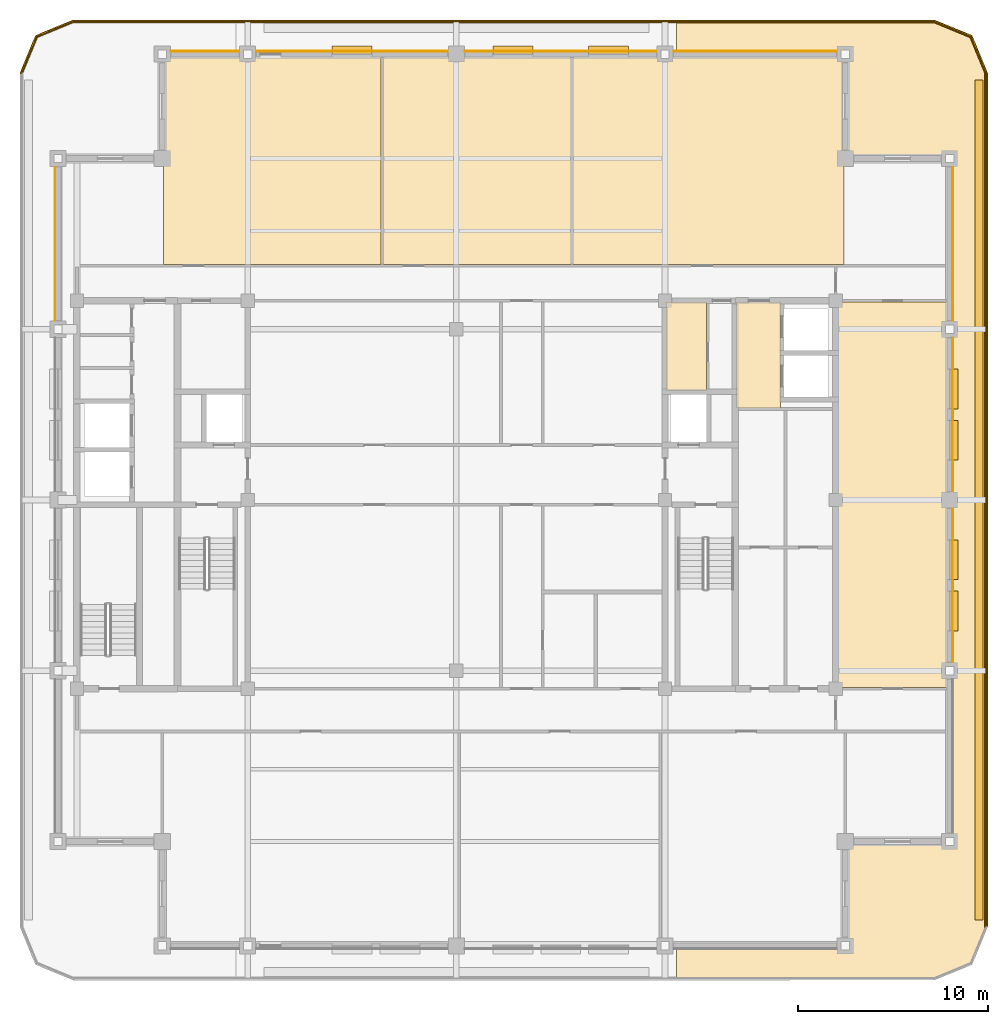
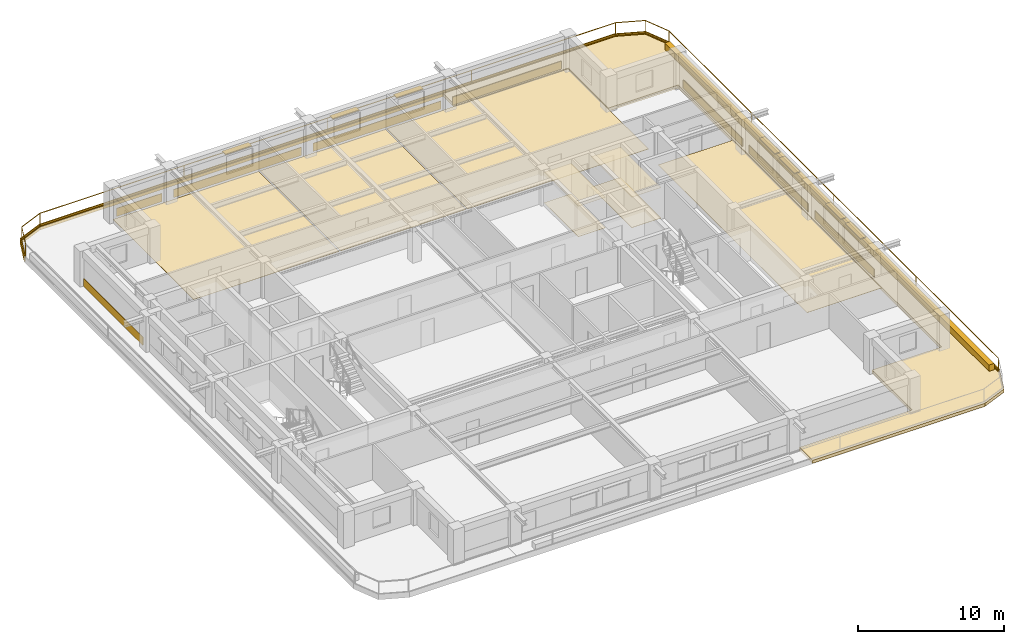
# One storey, part 11 of 11: 24 coverings, 7 shading devices, 2 railings.
"""IFC4 building model written with IfcOpenShell, lengths in metres."""

from ifc_helpers import new_model, si_unit, direction, frame, frame_2d, origin, origin_2d, place, context, subcontext, project, spatial, polyline, rectangle, outline, extrude, material, layer, layer_set, type_object, element, save


model = new_model("IFC4")

# Units and contexts
model_context = context("Model", 3, precision=1e-05, world=origin(), true_north=direction((0.0, 1.0)))
body_context = subcontext(model_context, "Body", "Model", "MODEL_VIEW")
ifc_project = project(units=[si_unit("LENGTHUNIT", "METRE"), si_unit("AREAUNIT", "SQUARE_METRE"), si_unit("VOLUMEUNIT", "CUBIC_METRE"), si_unit("PLANEANGLEUNIT", "RADIAN"), si_unit("MASSUNIT", "GRAM", prefix="KILO")], contexts=[model_context])

# Site, building, storey
site_placement = place(None, origin())
site = spatial("IfcSite", under=ifc_project, at=site_placement, CompositionType="ELEMENT")
building_placement = place(site_placement, origin())
building = spatial("IfcBuilding", under=site, at=building_placement, Name="Zulmaris Gate Convention Tower", CompositionType="ELEMENT")
storey_placement = place(building_placement, frame((0.0, 0.0, 242.969970703125)))
storey = spatial("IfcBuildingStorey", under=building, at=storey_placement, Name="L64", CompositionType="ELEMENT", Elevation=242.969970703125)

# Coverings
ifc_material_1 = material(Name="Precast concrete C40/50", Category="concrete")
ifc_layer_1 = layer(ifc_material_1, 0.0400390625, Name="Precast concrete C40/50")
ifc_layer_set_1 = layer_set([ifc_layer_1], Name="Precast concrete C40/50")
covering_type_1 = type_object("IfcCoveringType", Name="CLAD-SPANDREL-PRECAST", PredefinedType="CLADDING", material=ifc_layer_set_1)
covering_1_placement = place(storey_placement, frame((-11.455078125, 23.64990234375, 0.0), z_axis=(0.0, 0.0, 1.0), x_axis=(-1.0, 0.0, 0.0)))
element("IfcCovering", 1, at=covering_1_placement, inside=storey, type_object=covering_type_1, Name="CLD-L64-N-0_0", PredefinedType="CLADDING", context=body_context, shape_type="SweptSolid", body=[
    extrude(rectangle(XDim=3.58984375, YDim=0.0400390625, at=frame_2d((1.794921875, 0.0))), origin(), (0.0, 0.0, 1.0), 0.679931640625),
])
for number, where, z_axis, x_axis, name in (
    (2, (-0.455078125, 23.64990234375, 0.0), (0.0, 0.0, 1.0), (-1.0, 0.0, 0.0), "CLD-L64-N-1_0"),
    (3, (10.544921875, 23.64990234375, 0.0), (0.0, 0.0, 1.0), (-1.0, 0.0, 0.0), "CLD-L64-N-2_0"),
):
    element("IfcCovering", number, at=place(storey_placement, frame(where, z_axis=z_axis, x_axis=x_axis)), inside=storey, type_object=covering_type_1, Name=name, PredefinedType="CLADDING", context=body_context, shape_type="SweptSolid", body=[
        extrude(rectangle(XDim=10.08984375, YDim=0.0400390625, at=frame_2d((5.044921875, 0.0))), origin(), (0.0, 0.0, 1.0), 0.679931640625),
    ])
covering_2_placement = place(storey_placement, frame((20.044921875, 23.64990234375, 0.0), z_axis=(0.0, 0.0, 1.0), x_axis=(-1.0, 0.0, 0.0)))
element("IfcCovering", 4, at=covering_2_placement, inside=storey, type_object=covering_type_1, Name="CLD-L64-N-3_0", PredefinedType="CLADDING", context=body_context, shape_type="SweptSolid", body=[
    extrude(rectangle(XDim=8.58984375, YDim=0.0400390625, at=frame_2d((4.294921875, 0.0))), origin(), (0.0, 0.0, 1.0), 0.679931640625),
])
for number, where, z_axis, x_axis, name in (
    (5, (26.14990234375, -8.544921875, 0.0), (0.0, 0.0, 1.0), (0.0, 1.0, 0.0), "CLD-L64-E-1_0"),
    (6, (26.14990234375, 0.455078125, 0.0), (0.0, 0.0, 1.0), (0.0, 1.0, 0.0), "CLD-L64-E-2_0"),
    (7, (26.14990234375, 9.455078125, 0.0), (0.0, 0.0, 1.0), (0.0, 1.0, 0.0), "CLD-L64-E-3_0"),
    (8, (-21.14990234375, 17.544921875, 0.0), (0.0, 0.0, 1.0), (0.0, -1.0, 0.0), "CLD-L64-W-3_0"),
):
    element("IfcCovering", number, at=place(storey_placement, frame(where, z_axis=z_axis, x_axis=x_axis)), inside=storey, type_object=covering_type_1, Name=name, PredefinedType="CLADDING", context=body_context, shape_type="SweptSolid", body=[
        extrude(rectangle(XDim=8.08984375, YDim=0.0400390625, at=frame_2d((4.044921875, 0.0))), origin(), (0.0, 0.0, 1.0), 0.679931640625),
    ])
ifc_material_2 = material(Name="White Glazed Architectural Precast Concrete C40/50", Category="concrete")
ifc_layer_2 = layer(ifc_material_2, 0.239990234375, Name="White Glazed Architectural Precast Concrete C40/50")
ifc_layer_set_2 = layer_set([ifc_layer_2], Name="White Glazed Architectural Precast Concrete C40/50")
covering_type_2 = type_object("IfcCoveringType", Name="CLAD-TRAY-DECK", PredefinedType="CLADDING", material=ifc_layer_set_2)
covering_3_placement = place(storey_placement, frame((0.0, 0.0, -0.25)))
element("IfcCovering", 9, at=covering_3_placement, inside=storey, type_object=covering_type_2, Name="L64 East Rounded-Fascia Planter Tray Deck", PredefinedType="CLADDING", context=body_context, shape_type="SweptSolid", body=[
    extrude(outline(polyline([(25.199951171875, 25.300048828125), (27.179931640625, 24.47998046875), (28.0, 22.5), (28.0, -22.5), (27.179931640625, -24.47998046875), (25.199951171875, -25.300048828125), (11.60205078125, -25.300048828125), (11.60205078125, -23.5), (20.5, -23.5), (20.5, -18.0), (26.0, -18.0), (26.0, 18.0), (20.5, 18.0), (20.5, 23.5), (11.60205078125, 23.5), (11.60205078125, 25.300048828125), (25.199951171875, 25.300048828125)])), origin(), (0.0, 0.0, 1.0), 0.260009765625),
])
ifc_layer_3 = layer(ifc_material_2, 0.080078125, Name="White Glazed Architectural Precast Concrete C40/50")
ifc_layer_set_3 = layer_set([ifc_layer_3], Name="White Glazed Architectural Precast Concrete C40/50")
covering_type_3 = type_object("IfcCoveringType", Name="CLAD-TRAY-FASCIA", PredefinedType="CLADDING", material=ifc_layer_set_3)
covering_4_placement = place(storey_placement, frame((27.9599609375, -22.5, -0.2900390625), z_axis=(0.0, 0.0, 1.0), x_axis=(0.0, 1.0, 0.0)))
element("IfcCovering", 10, at=covering_4_placement, inside=storey, type_object=covering_type_3, Name="FSC-L64-TR-05", PredefinedType="CLADDING", context=body_context, shape_type="SweptSolid", body=[
    extrude(rectangle(XDim=45.0, YDim=0.080078125, at=frame_2d((22.5, 0.0))), origin(), (0.0, 0.0, 1.0), 0.4599609375),
])
covering_5_placement = place(storey_placement, frame((27.962890625, 22.484619140625, -0.2900390625), z_axis=(0.0, 0.0, 1.0), x_axis=(-0.382656984709, 0.923890487046, 0.0)))
element("IfcCovering", 11, at=covering_5_placement, inside=storey, type_object=covering_type_3, Name="FSC-L64-TR-06", PredefinedType="CLADDING", context=body_context, shape_type="SweptSolid", body=[
    extrude(rectangle(XDim=2.14306640625, YDim=0.080078125, at=frame_2d((1.071533203125, 0.0))), origin(), (0.0, 0.0, 1.0), 0.4599609375),
])
covering_6_placement = place(storey_placement, frame((27.16455078125, 24.44287109375, -0.2900390625), z_axis=(0.0, 0.0, 1.0), x_axis=(-0.923873803533, 0.382697263049, 0.0)))
element("IfcCovering", 12, at=covering_6_placement, inside=storey, type_object=covering_type_3, Name="FSC-L64-TR-07", PredefinedType="CLADDING", context=body_context, shape_type="SweptSolid", body=[
    extrude(rectangle(XDim=2.142822265625, YDim=0.080078125, at=frame_2d((1.0712890625, 0.0))), origin(), (0.0, 0.0, 1.0), 0.4599609375),
])
covering_7_placement = place(storey_placement, frame((25.199951171875, 25.260009765625, -0.2900390625), z_axis=(0.0, 0.0, 1.0), x_axis=(-1.0, 0.0, 0.0)))
element("IfcCovering", 13, at=covering_7_placement, inside=storey, type_object=covering_type_3, Name="FSC-L64-TR-08", PredefinedType="CLADDING", context=body_context, shape_type="SweptSolid", body=[
    extrude(rectangle(XDim=45.39990234375, YDim=0.080078125, at=frame_2d((22.699951171875, 0.0))), origin(), (0.0, 0.0, 1.0), 0.4599609375),
])
covering_8_placement = place(storey_placement, frame((-20.184814453125, 25.262939453125, -0.2900390625), z_axis=(0.0, 0.0, 1.0), x_axis=(-0.923873803533, -0.382697263049, 0.0)))
element("IfcCovering", 14, at=covering_8_placement, inside=storey, type_object=covering_type_3, Name="FSC-L64-TR-09", PredefinedType="CLADDING", context=body_context, shape_type="SweptSolid", body=[
    extrude(rectangle(XDim=2.142822265625, YDim=0.080078125, at=frame_2d((1.0712890625, 0.0))), origin(), (0.0, 0.0, 1.0), 0.4599609375),
])
covering_9_placement = place(storey_placement, frame((-22.142822265625, 24.464599609375, -0.2900390625), z_axis=(0.0, 0.0, 1.0), x_axis=(-0.382656984709, -0.923890487046, 0.0)))
element("IfcCovering", 15, at=covering_9_placement, inside=storey, type_object=covering_type_3, Name="FSC-L64-TR-10", PredefinedType="CLADDING", context=body_context, shape_type="SweptSolid", body=[
    extrude(rectangle(XDim=2.14306640625, YDim=0.080078125, at=frame_2d((1.071533203125, 0.0))), origin(), (0.0, 0.0, 1.0), 0.4599609375),
])
ifc_material_3 = material(Name="Mineral Fibre Acoustic Ceiling Tile")
ifc_layer_4 = layer(ifc_material_3, 0.02001953125, Name="Mineral Fibre Acoustic Ceiling Tile")
ifc_layer_set_4 = layer_set([ifc_layer_4], Name="Mineral Fibre Acoustic Ceiling Tile")
covering_type_4 = type_object("IfcCoveringType", Name="CLG-ACOUSTIC-600", PredefinedType="CEILING", material=ifc_layer_set_4)
covering_10_placement = place(storey_placement, frame((0.0, 0.0, 2.5380859375)))
element("IfcCovering", 16, at=covering_10_placement, inside=storey, type_object=covering_type_4, Name="CLG-L64-R12", PredefinedType="CEILING", context=body_context, shape_type="SweptSolid", body=[
    extrude(outline(polyline([(11.06005859375, 5.760009765625), (13.18994140625, 5.760009765625), (13.18994140625, 10.43994140625), (11.06005859375, 10.43994140625), (11.06005859375, 5.760009765625)])), origin(), (0.0, 0.0, 1.0), 0.02001953125),
])
covering_11_placement = place(storey_placement, frame((0.0, 0.0, 2.5380859375)))
element("IfcCovering", 17, at=covering_11_placement, inside=storey, type_object=covering_type_4, Name="CLG-L64-R24", PredefinedType="CEILING", context=body_context, shape_type="SweptSolid", body=[
    extrude(outline(polyline([(14.760009765625, 4.860107421875), (17.090087890625, 4.860107421875), (17.090087890625, 10.43994140625), (14.760009765625, 10.43994140625), (14.760009765625, 4.860107421875)])), origin(), (0.0, 0.0, 1.0), 0.02001953125),
])
ifc_material_4 = material(Name="Woven Acoustic Wool Carpet Tile")
ifc_layer_5 = layer(ifc_material_4, 0.02001953125, Name="Woven Acoustic Wool Carpet Tile")
ifc_layer_set_5 = layer_set([ifc_layer_5], Name="Woven Acoustic Wool Carpet Tile")
covering_type_5 = type_object("IfcCoveringType", Name="FLR-CARPET-12", PredefinedType="FLOORING", material=ifc_layer_set_5)
covering_12_placement = place(storey_placement, origin())
element("IfcCovering", 18, at=covering_12_placement, inside=storey, type_object=covering_type_5, Name="FLR-L64-R12", PredefinedType="FLOORING", context=body_context, shape_type="SweptSolid", body=[
    extrude(outline(polyline([(11.06005859375, 5.760009765625), (13.18994140625, 5.760009765625), (13.18994140625, 10.43994140625), (11.06005859375, 10.43994140625), (11.06005859375, 5.760009765625)])), origin(), (0.0, 0.0, 1.0), 0.02001953125),
])
covering_13_placement = place(storey_placement, origin())
element("IfcCovering", 19, at=covering_13_placement, inside=storey, type_object=covering_type_5, Name="FLR-L64-R24", PredefinedType="FLOORING", context=body_context, shape_type="SweptSolid", body=[
    extrude(outline(polyline([(14.760009765625, 4.860107421875), (17.090087890625, 4.860107421875), (17.090087890625, 10.43994140625), (14.760009765625, 10.43994140625), (14.760009765625, 4.860107421875)])), origin(), (0.0, 0.0, 1.0), 0.02001953125),
])
covering_14_placement = place(storey_placement, origin())
element("IfcCovering", 20, at=covering_14_placement, inside=storey, type_object=covering_type_5, Name="FLR-L64-R36", PredefinedType="FLOORING", context=body_context, shape_type="SweptSolid", body=[
    extrude(outline(polyline([(-15.43994140625, 12.409912109375), (-3.9599609375, 12.409912109375), (-3.9599609375, 23.43994140625), (-15.43994140625, 23.43994140625), (-15.43994140625, 12.409912109375)])), origin(), (0.0, 0.0, 1.0), 0.02001953125),
])
covering_15_placement = place(storey_placement, origin())
element("IfcCovering", 21, at=covering_15_placement, inside=storey, type_object=covering_type_5, Name="FLR-L64-R37", PredefinedType="FLOORING", context=body_context, shape_type="SweptSolid", body=[
    extrude(outline(polyline([(-3.840087890625, 12.409912109375), (6.0400390625, 12.409912109375), (6.0400390625, 23.43994140625), (-3.840087890625, 23.43994140625), (-3.840087890625, 12.409912109375)])), origin(), (0.0, 0.0, 1.0), 0.02001953125),
])
covering_16_placement = place(storey_placement, origin())
element("IfcCovering", 22, at=covering_16_placement, inside=storey, type_object=covering_type_5, Name="FLR-L64-R38", PredefinedType="FLOORING", context=body_context, shape_type="SweptSolid", body=[
    extrude(outline(polyline([(6.159912109375, 12.409912109375), (20.43994140625, 12.409912109375), (20.43994140625, 23.43994140625), (6.159912109375, 23.43994140625), (6.159912109375, 12.409912109375)])), origin(), (0.0, 0.0, 1.0), 0.02001953125),
])
covering_17_placement = place(storey_placement, origin())
element("IfcCovering", 23, at=covering_17_placement, inside=storey, type_object=covering_type_5, Name="FLR-L64-R50", PredefinedType="FLOORING", context=body_context, shape_type="SweptSolid", body=[
    extrude(outline(polyline([(20.06005859375, -9.889892578125), (25.93994140625, -9.889892578125), (25.93994140625, 10.43994140625), (20.06005859375, 10.43994140625), (20.06005859375, -9.889892578125)])), origin(), (0.0, 0.0, 1.0), 0.02001953125),
])
ifc_material_5 = material(Name="Botanical Green Glazed Precast Concrete C40/50", Category="concrete")
ifc_layer_6 = layer(ifc_material_5, 0.419921875, Name="Botanical Green Glazed Precast Concrete C40/50")
ifc_layer_set_6 = layer_set([ifc_layer_6], Name="Botanical Green Glazed Precast Concrete C40/50")
covering_type_6 = type_object("IfcCoveringType", Name="PLANTER-BOX-200", PredefinedType="CLADDING", material=ifc_layer_set_6)
covering_18_placement = place(storey_placement, frame((0.0, 0.0, 0.010009765625)))
element("IfcCovering", 24, at=covering_18_placement, inside=storey, type_object=covering_type_6, Name="L64 E Full-Length Balcony Tree Planter Trough", PredefinedType="CLADDING", context=body_context, shape_type="SweptSolid", body=[
    extrude(outline(polyline([(27.340087890625, -22.14990234375), (27.760009765625, -22.14990234375), (27.760009765625, 22.14990234375), (27.340087890625, 22.14990234375), (27.340087890625, -22.14990234375)])), origin(), (0.0, 0.0, 1.0), 0.52001953125),
])

# Railings
ifc_material_6 = material(Name="Laminated Glass and Stainless Steel", Category="steel")
railing_type = type_object("IfcRailingType", Name="RL-BALC-1150", PredefinedType="BALUSTRADE", material=ifc_material_6)
railing_1_placement = place(storey_placement, frame((27.8798828125, -22.5, 0.010009765625)))
element("IfcRailing", 25, at=railing_1_placement, inside=storey, type_object=railing_type, Name="RL-L64-BALC-E", PredefinedType="BALUSTRADE", context=body_context, shape_type="SweptSolid", body=[
    extrude(rectangle(XDim=0.048095703125, YDim=0.048095703125, at=origin_2d()), frame((0.0, 0.0, 1.1259765625), z_axis=(0.0, 1.0, 0.0), x_axis=(-1.0, 0.0, 0.0)), (0.0, 0.0, 1.0), 45.0),
    extrude(rectangle(XDim=0.048095703125, YDim=0.048095703125, at=origin_2d()), frame((0.0, 0.0, 0.02392578125), z_axis=(0.0, 1.0, 0.0), x_axis=(-1.0, 0.0, 0.0)), (0.0, 0.0, 1.0), 45.0),
    extrude(rectangle(XDim=0.0419921875, YDim=0.0419921875, at=origin_2d()), origin(), (0.0, 0.0, 1.0), 1.101806640625),
    extrude(rectangle(XDim=0.0419921875, YDim=0.0419921875, at=origin_2d()), frame((0.0, 11.25, 0.0)), (0.0, 0.0, 1.0), 1.101806640625),
    extrude(rectangle(XDim=0.0419921875, YDim=0.0419921875, at=origin_2d()), frame((0.0, 22.5, 0.0)), (0.0, 0.0, 1.0), 1.101806640625),
    extrude(rectangle(XDim=0.0419921875, YDim=0.0419921875, at=origin_2d()), frame((0.0, 33.75, 0.0)), (0.0, 0.0, 1.0), 1.101806640625),
    extrude(rectangle(XDim=0.0419921875, YDim=0.0419921875, at=origin_2d()), frame((0.0, 45.0, 0.0)), (0.0, 0.0, 1.0), 1.101806640625),
])
railing_2_placement = place(storey_placement, frame((27.8798828125, 22.5, 0.010009765625)))
element("IfcRailing", 26, at=railing_2_placement, inside=storey, type_object=railing_type, Name="RL-L64-BALC-N", PredefinedType="BALUSTRADE", context=body_context, shape_type="SweptSolid", body=[
    extrude(rectangle(XDim=0.048095703125, YDim=0.048095703125, at=origin_2d()), frame((0.0, 0.0, 1.1259765625), z_axis=(-0.382670664694, 0.92388482095, 0.0), x_axis=(-0.92388482095, -0.382670664694, 0.0)), (0.0, 0.0, 1.0), 2.051025390625),
    extrude(rectangle(XDim=0.048095703125, YDim=0.048095703125, at=origin_2d()), frame((0.0, 0.0, 0.02392578125), z_axis=(-0.382670664694, 0.92388482095, 0.0), x_axis=(-0.92388482095, -0.382670664694, 0.0)), (0.0, 0.0, 1.0), 2.051025390625),
    extrude(rectangle(XDim=0.048095703125, YDim=0.048095703125, at=origin_2d()), frame((-0.784912109375, 1.89501953125, 1.1259765625), z_axis=(-0.92388482095, 0.382670664694, 0.0), x_axis=(-0.382670664694, -0.92388482095, 0.0)), (0.0, 0.0, 1.0), 2.051025390625),
    extrude(rectangle(XDim=0.048095703125, YDim=0.048095703125, at=origin_2d()), frame((-0.784912109375, 1.89501953125, 0.02392578125), z_axis=(-0.92388482095, 0.382670664694, 0.0), x_axis=(-0.382670664694, -0.92388482095, 0.0)), (0.0, 0.0, 1.0), 2.051025390625),
    extrude(rectangle(XDim=0.048095703125, YDim=0.048095703125, at=origin_2d()), frame((-2.679931640625, 2.679931640625, 1.1259765625), z_axis=(-1.0, 0.0, 0.0), x_axis=(0.0, -1.0, 0.0)), (0.0, 0.0, 1.0), 45.39990234375),
    extrude(rectangle(XDim=0.048095703125, YDim=0.048095703125, at=origin_2d()), frame((-2.679931640625, 2.679931640625, 0.02392578125), z_axis=(-1.0, 0.0, 0.0), x_axis=(0.0, -1.0, 0.0)), (0.0, 0.0, 1.0), 45.39990234375),
    extrude(rectangle(XDim=0.048095703125, YDim=0.048095703125, at=origin_2d()), frame((-48.079833984375, 2.679931640625, 1.1259765625), z_axis=(-0.92388482095, -0.382670664694, 0.0), x_axis=(0.382670664694, -0.92388482095, 0.0)), (0.0, 0.0, 1.0), 2.051025390625),
    extrude(rectangle(XDim=0.048095703125, YDim=0.048095703125, at=origin_2d()), frame((-48.079833984375, 2.679931640625, 0.02392578125), z_axis=(-0.92388482095, -0.382670664694, 0.0), x_axis=(0.382670664694, -0.92388482095, 0.0)), (0.0, 0.0, 1.0), 2.051025390625),
    extrude(rectangle(XDim=0.048095703125, YDim=0.048095703125, at=origin_2d()), frame((-49.974853515625, 1.89501953125, 1.1259765625), z_axis=(-0.382670664694, -0.92388482095, 0.0), x_axis=(0.92388482095, -0.382670664694, 0.0)), (0.0, 0.0, 1.0), 2.051025390625),
    extrude(rectangle(XDim=0.048095703125, YDim=0.048095703125, at=origin_2d()), frame((-49.974853515625, 1.89501953125, 0.02392578125), z_axis=(-0.382670664694, -0.92388482095, 0.0), x_axis=(0.92388482095, -0.382670664694, 0.0)), (0.0, 0.0, 1.0), 2.051025390625),
    extrude(rectangle(XDim=0.0419921875, YDim=0.0419921875, at=origin_2d()), origin(), (0.0, 0.0, 1.0), 1.101806640625),
    extrude(rectangle(XDim=0.0419921875, YDim=0.0419921875, at=origin_2d()), frame((-0.784912109375, 1.89501953125, 0.0)), (0.0, 0.0, 1.0), 1.101806640625),
    extrude(rectangle(XDim=0.0419921875, YDim=0.0419921875, at=origin_2d()), frame((-2.679931640625, 2.679931640625, 0.0)), (0.0, 0.0, 1.0), 1.101806640625),
    extrude(rectangle(XDim=0.0419921875, YDim=0.0419921875, at=origin_2d()), frame((-14.02978515625, 2.679931640625, 0.0)), (0.0, 0.0, 1.0), 1.101806640625),
    extrude(rectangle(XDim=0.0419921875, YDim=0.0419921875, at=origin_2d()), frame((-25.3798828125, 2.679931640625, 0.0)), (0.0, 0.0, 1.0), 1.101806640625),
    extrude(rectangle(XDim=0.0419921875, YDim=0.0419921875, at=origin_2d()), frame((-36.72998046875, 2.679931640625, 0.0)), (0.0, 0.0, 1.0), 1.101806640625),
    extrude(rectangle(XDim=0.0419921875, YDim=0.0419921875, at=origin_2d()), frame((-48.079833984375, 2.679931640625, 0.0)), (0.0, 0.0, 1.0), 1.101806640625),
    extrude(rectangle(XDim=0.0419921875, YDim=0.0419921875, at=origin_2d()), frame((-49.974853515625, 1.89501953125, 0.0)), (0.0, 0.0, 1.0), 1.101806640625),
    extrude(rectangle(XDim=0.0419921875, YDim=0.0419921875, at=origin_2d()), frame((-50.759765625, 0.0, 0.0)), (0.0, 0.0, 1.0), 1.101806640625),
])

# Shading devices
ifc_material_7 = material(Name="Glazed Ceramic Terracotta", Category="masonry")
ifc_layer_7 = layer(ifc_material_7, 0.070068359375, Name="Glazed Ceramic Terracotta")
ifc_layer_set_7 = layer_set([ifc_layer_7], Name="Glazed Ceramic Terracotta")
shading_device_type = type_object("IfcShadingDeviceType", Name="SHD-SUNSHADE-TC", PredefinedType="AWNING", material=ifc_layer_set_7)
for number, where, z_axis, x_axis, name in (
    (27, (-4.449951171875, 23.719970703125, 2.22998046875), (0.0, 0.0, 1.0), (-1.0, 0.0, 0.0), "SHD-EW-L64-N-1_0-2"),
    (28, (9.072998046875, 23.719970703125, 2.22998046875), (0.0, 0.0, 1.0), (-1.0, 0.0, 0.0), "SHD-EW-L64-N-2_0-1"),
    (29, (4.027099609375, 23.719970703125, 2.22998046875), (0.0, 0.0, 1.0), (-1.0, 0.0, 0.0), "SHD-EW-L64-N-2_0-3"),
):
    element("IfcShadingDevice", number, at=place(storey_placement, frame(where, z_axis=z_axis, x_axis=x_axis)), inside=storey, type_object=shading_device_type, Name=name, PredefinedType="AWNING", context=body_context, shape_type="SweptSolid", body=[
        extrude(rectangle(XDim=2.10009765625, YDim=0.43994140625, at=frame_2d((1.050048828125, 0.0))), origin(), (0.0, 0.0, 1.0), 0.070068359375),
    ])
for number, where, z_axis, x_axis, name in (
    (30, (26.219970703125, -6.89794921875, 2.22998046875), (0.0, 0.0, 1.0), (0.0, 1.0, 0.0), "SHD-EW-L64-E-1_0-1"),
    (31, (26.219970703125, -4.201904296875, 2.22998046875), (0.0, 0.0, 1.0), (0.0, 1.0, 0.0), "SHD-EW-L64-E-1_0-2"),
    (32, (26.219970703125, 2.10205078125, 2.22998046875), (0.0, 0.0, 1.0), (0.0, 1.0, 0.0), "SHD-EW-L64-E-2_0-1"),
    (33, (26.219970703125, 4.798095703125, 2.22998046875), (0.0, 0.0, 1.0), (0.0, 1.0, 0.0), "SHD-EW-L64-E-2_0-2"),
):
    element("IfcShadingDevice", number, at=place(storey_placement, frame(where, z_axis=z_axis, x_axis=x_axis)), inside=storey, type_object=shading_device_type, Name=name, PredefinedType="AWNING", context=body_context, shape_type="SweptSolid", body=[
        extrude(rectangle(XDim=2.099853515625, YDim=0.43994140625, at=frame_2d((1.0498046875, 0.0))), origin(), (0.0, 0.0, 1.0), 0.070068359375),
    ])

save(model, "model.ifc")
